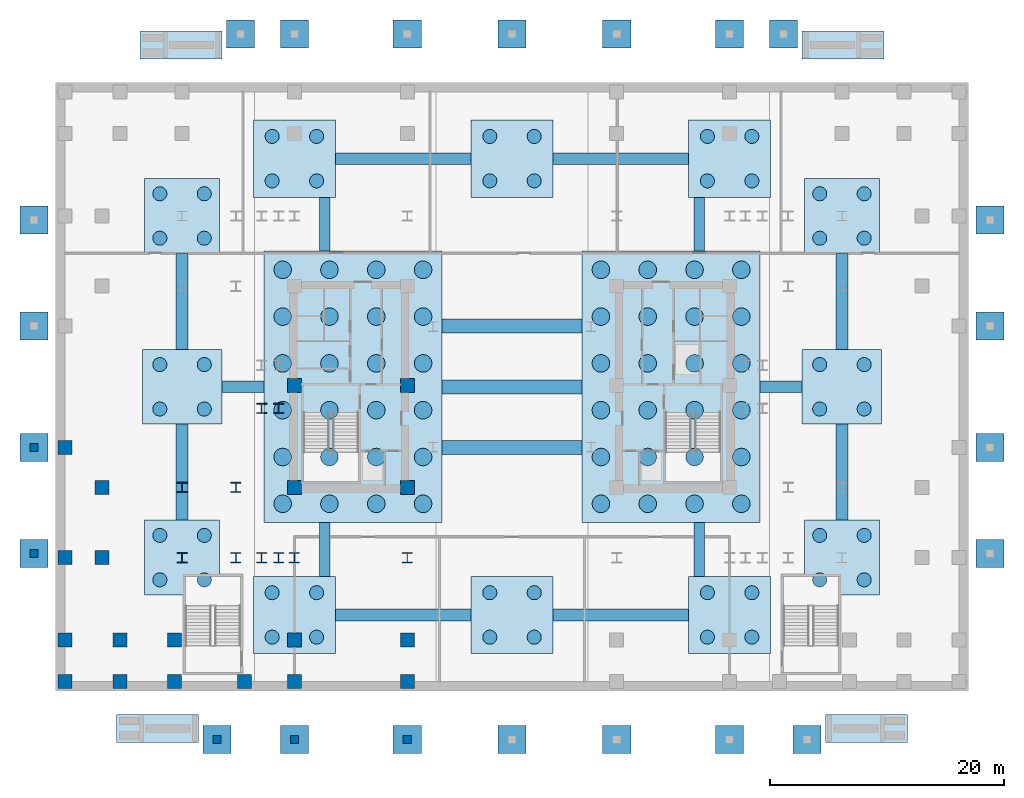
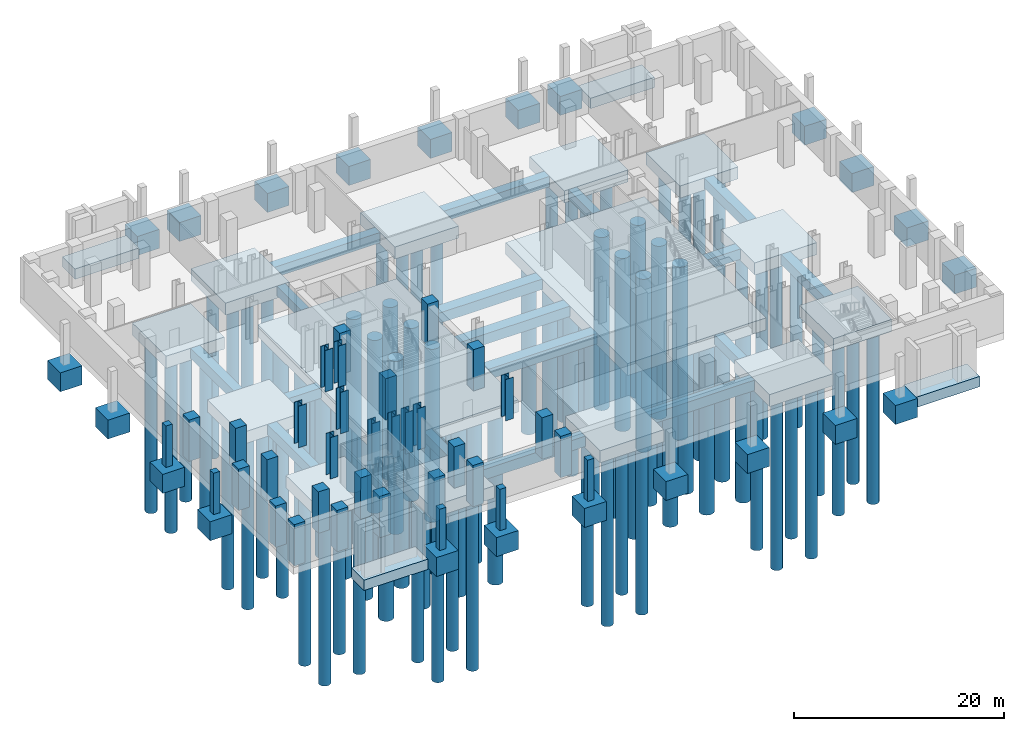
# One storey, part 1 of 10: 96 piles, 57 footings, 34 columns.
"""IFC4 building model written with IfcOpenShell, lengths in metres."""

from ifc_helpers import new_model, si_unit, direction, frame, origin, origin_2d, place, context, subcontext, project, spatial, rectangle, circle, i_section, extrude, material, material_profile, profile_set, type_object, element, save


model = new_model("IFC4")

# Units and contexts
model_context = context("Model", 3, precision=1e-05, world=origin(), true_north=direction((0.0, 1.0)))
body_context = subcontext(model_context, "Body", "Model", "MODEL_VIEW")
ifc_project = project(units=[si_unit("LENGTHUNIT", "METRE"), si_unit("AREAUNIT", "SQUARE_METRE"), si_unit("VOLUMEUNIT", "CUBIC_METRE"), si_unit("PLANEANGLEUNIT", "RADIAN"), si_unit("MASSUNIT", "GRAM", prefix="KILO")], contexts=[model_context])

# Site, building, storey
site_placement = place(None, origin())
site = spatial("IfcSite", under=ifc_project, at=site_placement, CompositionType="ELEMENT")
building_placement = place(site_placement, origin())
building = spatial("IfcBuilding", under=site, at=building_placement, Name="Velakula Bourse", CompositionType="ELEMENT")
storey_placement = place(building_placement, frame((0.0, 0.0, -9.60009765625)))
storey = spatial("IfcBuildingStorey", under=building, at=storey_placement, Name="B02", CompositionType="ELEMENT", Elevation=-9.60009765625)

# Footings
ifc_material_1 = material(Name="Concrete M70 (fck 70 MPa)", Category="concrete")
footing_type_1 = type_object("IfcFootingType", Name="FTG-CAP-CORE", PredefinedType="PILE_CAP", material=ifc_material_1)
for number, where, z_axis, x_axis, name in (
    (1, (-13.60009765625, 0.0, -2.199951171875), (0.0, 0.0, 1.0), (1.0, 0.0, 0.0), "Core West 24-Pile Cap"),
    (2, (13.60009765625, 0.0, -2.199951171875), (0.0, 0.0, 1.0), (1.0, 0.0, 0.0), "Core East 24-Pile Cap"),
):
    element("IfcFooting", number, at=place(storey_placement, frame(where, z_axis=z_axis, x_axis=x_axis)), inside=storey, type_object=footing_type_1, Name=name, PredefinedType="PILE_CAP", context=body_context, shape_type="SweptSolid", body=[
        extrude(rectangle(XDim=15.199951171875, YDim=23.199951171875, at=origin_2d()), origin(), (0.0, 0.0, 1.0), 1.39990234375),
    ])
footing_type_2 = type_object("IfcFootingType", Name="FTG-CAP-CORNER", PredefinedType="PILE_CAP", material=ifc_material_1)
for number, where, z_axis, x_axis, name in (
    (3, (-28.199951171875, -14.60009765625, -2.199951171875), (0.0, 0.0, 1.0), (1.0, 0.0, 0.0), "Perimeter 4-pile cap PC-P01"),
    (4, (-28.199951171875, 14.60009765625, -2.199951171875), (0.0, 0.0, 1.0), (1.0, 0.0, 0.0), "Perimeter 4-pile cap PC-P03"),
    (5, (28.199951171875, -14.60009765625, -2.199951171875), (0.0, 0.0, 1.0), (1.0, 0.0, 0.0), "Perimeter 4-pile cap PC-P04"),
    (6, (28.199951171875, 14.60009765625, -2.199951171875), (0.0, 0.0, 1.0), (1.0, 0.0, 0.0), "Perimeter 4-pile cap PC-P06"),
):
    element("IfcFooting", number, at=place(storey_placement, frame(where, z_axis=z_axis, x_axis=x_axis)), inside=storey, type_object=footing_type_2, Name=name, PredefinedType="PILE_CAP", context=body_context, shape_type="SweptSolid", body=[
        extrude(rectangle(XDim=6.39990234375, YDim=6.39990234375, at=origin_2d()), origin(), (0.0, 0.0, 1.0), 1.39990234375),
    ])
footing_type_3 = type_object("IfcFootingType", Name="FTG-CAP-EDGE-EW", PredefinedType="PILE_CAP", material=ifc_material_1)
for number, where, z_axis, x_axis, name in (
    (7, (-28.199951171875, 0.0, -2.199951171875), (0.0, 0.0, 1.0), (1.0, 0.0, 0.0), "Perimeter 4-pile cap PC-P02"),
    (8, (28.199951171875, 0.0, -2.199951171875), (0.0, 0.0, 1.0), (1.0, 0.0, 0.0), "Perimeter 4-pile cap PC-P05"),
):
    element("IfcFooting", number, at=place(storey_placement, frame(where, z_axis=z_axis, x_axis=x_axis)), inside=storey, type_object=footing_type_3, Name=name, PredefinedType="PILE_CAP", context=body_context, shape_type="SweptSolid", body=[
        extrude(rectangle(XDim=6.800048828125, YDim=6.39990234375, at=origin_2d()), origin(), (0.0, 0.0, 1.0), 1.39990234375),
    ])
footing_type_4 = type_object("IfcFootingType", Name="FTG-CAP-EDGE-NS", PredefinedType="PILE_CAP", material=ifc_material_1)
for number, where, z_axis, x_axis, name in (
    (9, (-18.60009765625, -19.5, -2.199951171875), (0.0, 0.0, 1.0), (1.0, 0.0, 0.0), "Perimeter 4-pile cap PC-P07"),
    (10, (0.0, -19.5, -2.199951171875), (0.0, 0.0, 1.0), (1.0, 0.0, 0.0), "Perimeter 4-pile cap PC-P08"),
    (11, (18.60009765625, -19.5, -2.199951171875), (0.0, 0.0, 1.0), (1.0, 0.0, 0.0), "Perimeter 4-pile cap PC-P09"),
    (12, (-18.60009765625, 19.5, -2.199951171875), (0.0, 0.0, 1.0), (1.0, 0.0, 0.0), "Perimeter 4-pile cap PC-P10"),
    (13, (0.0, 19.5, -2.199951171875), (0.0, 0.0, 1.0), (1.0, 0.0, 0.0), "Perimeter 4-pile cap PC-P11"),
    (14, (18.60009765625, 19.5, -2.199951171875), (0.0, 0.0, 1.0), (1.0, 0.0, 0.0), "Perimeter 4-pile cap PC-P12"),
):
    element("IfcFooting", number, at=place(storey_placement, frame(where, z_axis=z_axis, x_axis=x_axis)), inside=storey, type_object=footing_type_4, Name=name, PredefinedType="PILE_CAP", context=body_context, shape_type="SweptSolid", body=[
        extrude(rectangle(XDim=7.0, YDim=6.60009765625, at=origin_2d()), origin(), (0.0, 0.0, 1.0), 1.39990234375),
    ])
ifc_material_profile_1 = material_profile(ifc_material_1, rectangle(XDim=1.0, YDim=1.199951171875, at=origin_2d()), Name="Concrete M70 (fck 70 MPa)")
ifc_profile_set_1 = profile_set([ifc_material_profile_1], Name="Concrete M70 (fck 70 MPa)")
footing_type_5 = type_object("IfcFootingType", Name="FTG-GB-1000x1200", PredefinedType="FOOTING_BEAM", material=ifc_profile_set_1)
for number, where, z_axis, x_axis, name in (
    (15, (-24.800048828125, 0.0, -1.39990234375), (1.0, 0.0, 0.0), (0.0, 1.0, 0.0), "Reinforced concrete ground tie beam GB-WC1"),
    (16, (21.199951171875, 0.0, -1.39990234375), (1.0, 0.0, 0.0), (0.0, 1.0, 0.0), "Reinforced concrete ground tie beam GB-EC1"),
):
    element("IfcFooting", number, at=place(storey_placement, frame(where, z_axis=z_axis, x_axis=x_axis)), inside=storey, type_object=footing_type_5, Name=name, PredefinedType="FOOTING_BEAM", context=body_context, shape_type="SweptSolid", body=[
        extrude(rectangle(XDim=1.0, YDim=1.199951171875, at=origin_2d()), origin(), (0.0, 0.0, 1.0), 3.60009765625),
    ])
for number, where, z_axis, x_axis, name in (
    (17, (-28.199951171875, -11.39990234375, -1.39990234375), (0.0, 1.0, 0.0), (-1.0, 0.0, 0.0), "Reinforced concrete ground tie beam GB-WNS1"),
    (18, (-28.199951171875, 3.199951171875, -1.39990234375), (0.0, 1.0, 0.0), (-1.0, 0.0, 0.0), "Reinforced concrete ground tie beam GB-WNS2"),
    (19, (28.199951171875, -11.39990234375, -1.39990234375), (0.0, 1.0, 0.0), (-1.0, 0.0, 0.0), "Reinforced concrete ground tie beam GB-ENS1"),
    (20, (28.199951171875, 3.199951171875, -1.39990234375), (0.0, 1.0, 0.0), (-1.0, 0.0, 0.0), "Reinforced concrete ground tie beam GB-ENS2"),
):
    element("IfcFooting", number, at=place(storey_placement, frame(where, z_axis=z_axis, x_axis=x_axis)), inside=storey, type_object=footing_type_5, Name=name, PredefinedType="FOOTING_BEAM", context=body_context, shape_type="SweptSolid", body=[
        extrude(rectangle(XDim=1.0, YDim=1.199951171875, at=origin_2d()), origin(), (0.0, 0.0, 1.0), 8.199951171875),
    ])
for number, where, z_axis, x_axis, name in (
    (21, (-15.10009765625, -19.5, -1.39990234375), (1.0, 0.0, 0.0), (0.0, 1.0, 0.0), "Reinforced concrete ground tie beam GB-SEW1"),
    (22, (3.5, -19.5, -1.39990234375), (1.0, 0.0, 0.0), (0.0, 1.0, 0.0), "Reinforced concrete ground tie beam GB-SEW2"),
    (23, (-15.10009765625, 19.5, -1.39990234375), (1.0, 0.0, 0.0), (0.0, 1.0, 0.0), "Reinforced concrete ground tie beam GB-NEW1"),
    (24, (3.5, 19.5, -1.39990234375), (1.0, 0.0, 0.0), (0.0, 1.0, 0.0), "Reinforced concrete ground tie beam GB-NEW2"),
):
    element("IfcFooting", number, at=place(storey_placement, frame(where, z_axis=z_axis, x_axis=x_axis)), inside=storey, type_object=footing_type_5, Name=name, PredefinedType="FOOTING_BEAM", context=body_context, shape_type="SweptSolid", body=[
        extrude(rectangle(XDim=1.0, YDim=1.199951171875, at=origin_2d()), origin(), (0.0, 0.0, 1.0), 11.60009765625),
    ])
ifc_material_profile_2 = material_profile(ifc_material_1, rectangle(XDim=1.199951171875, YDim=1.199951171875, at=origin_2d()), Name="Concrete M70 (fck 70 MPa)")
ifc_profile_set_2 = profile_set([ifc_material_profile_2], Name="Concrete M70 (fck 70 MPa)")
footing_type_6 = type_object("IfcFootingType", Name="FTG-GB-1200x1200", PredefinedType="FOOTING_BEAM", material=ifc_profile_set_2)
for number, where, z_axis, x_axis, name in (
    (25, (-6.0, -5.199951171875, -1.39990234375), (1.0, 0.0, 0.0), (0.0, 1.0, 0.0), "Reinforced concrete ground tie beam GB-IC1"),
    (26, (-6.0, 0.0, -1.39990234375), (1.0, 0.0, 0.0), (0.0, 1.0, 0.0), "Reinforced concrete ground tie beam GB-IC2"),
    (27, (-6.0, 5.199951171875, -1.39990234375), (1.0, 0.0, 0.0), (0.0, 1.0, 0.0), "Reinforced concrete ground tie beam GB-IC3"),
):
    element("IfcFooting", number, at=place(storey_placement, frame(where, z_axis=z_axis, x_axis=x_axis)), inside=storey, type_object=footing_type_6, Name=name, PredefinedType="FOOTING_BEAM", context=body_context, shape_type="SweptSolid", body=[
        extrude(rectangle(XDim=1.199951171875, YDim=1.199951171875, at=origin_2d()), origin(), (0.0, 0.0, 1.0), 12.0),
    ])
ifc_material_profile_3 = material_profile(ifc_material_1, rectangle(XDim=0.89990234375, YDim=1.10009765625, at=origin_2d()), Name="Concrete M70 (fck 70 MPa)")
ifc_profile_set_3 = profile_set([ifc_material_profile_3], Name="Concrete M70 (fck 70 MPa)")
footing_type_7 = type_object("IfcFootingType", Name="FTG-GB-900x1100", PredefinedType="FOOTING_BEAM", material=ifc_profile_set_3)
for number, where, z_axis, x_axis, name in (
    (28, (-16.0, -16.199951171875, -1.349853515625), (0.0, 1.0, 0.0), (-1.0, 0.0, 0.0), "Reinforced concrete ground tie beam GB-CNS1"),
    (29, (16.0, -16.199951171875, -1.349853515625), (0.0, 1.0, 0.0), (-1.0, 0.0, 0.0), "Reinforced concrete ground tie beam GB-CNS2"),
    (30, (-16.0, 11.60009765625, -1.349853515625), (0.0, 1.0, 0.0), (-1.0, 0.0, 0.0), "Reinforced concrete ground tie beam GB-CNN1"),
    (31, (16.0, 11.60009765625, -1.349853515625), (0.0, 1.0, 0.0), (-1.0, 0.0, 0.0), "Reinforced concrete ground tie beam GB-CNN2"),
):
    element("IfcFooting", number, at=place(storey_placement, frame(where, z_axis=z_axis, x_axis=x_axis)), inside=storey, type_object=footing_type_7, Name=name, PredefinedType="FOOTING_BEAM", context=body_context, shape_type="SweptSolid", body=[
        extrude(rectangle(XDim=0.89990234375, YDim=1.10009765625, at=origin_2d()), origin(), (0.0, 0.0, 1.0), 4.599853515625),
    ])
ifc_material_2 = material(Name="Concrete M50 (fck 50 MPa)", Category="concrete")
footing_type_8 = type_object("IfcFootingType", Name="FTG-PAD-PLAZA", PredefinedType="PAD_FOOTING", material=ifc_material_2)
for number, where, z_axis, x_axis, name in (
    (32, (-25.199951171875, -30.14990234375, -2.19970703125), (0.0, 0.0, 1.0), (1.0, 0.0, 0.0), "Station Forecourt Sub-Plaza Pad Footing 01"),
    (33, (-18.60009765625, -30.14990234375, -2.19970703125), (0.0, 0.0, 1.0), (1.0, 0.0, 0.0), "Station Forecourt Sub-Plaza Pad Footing 02"),
    (34, (-8.949951171875, -30.14990234375, -2.19970703125), (0.0, 0.0, 1.0), (1.0, 0.0, 0.0), "Station Forecourt Sub-Plaza Pad Footing 03"),
    (35, (0.0, -30.14990234375, -2.19970703125), (0.0, 0.0, 1.0), (1.0, 0.0, 0.0), "Station Forecourt Sub-Plaza Pad Footing 04"),
    (36, (8.949951171875, -30.14990234375, -2.19970703125), (0.0, 0.0, 1.0), (1.0, 0.0, 0.0), "Station Forecourt Sub-Plaza Pad Footing 05"),
    (37, (18.60009765625, -30.14990234375, -2.19970703125), (0.0, 0.0, 1.0), (1.0, 0.0, 0.0), "Station Forecourt Sub-Plaza Pad Footing 06"),
    (38, (25.199951171875, -30.14990234375, -2.19970703125), (0.0, 0.0, 1.0), (1.0, 0.0, 0.0), "Station Forecourt Sub-Plaza Pad Footing 07"),
    (39, (-23.199951171875, 30.14990234375, -2.19970703125), (0.0, 0.0, 1.0), (1.0, 0.0, 0.0), "Station Forecourt Sub-Plaza Pad Footing 08"),
    (40, (-18.60009765625, 30.14990234375, -2.19970703125), (0.0, 0.0, 1.0), (1.0, 0.0, 0.0), "Station Forecourt Sub-Plaza Pad Footing 09"),
    (41, (-8.949951171875, 30.14990234375, -2.19970703125), (0.0, 0.0, 1.0), (1.0, 0.0, 0.0), "Station Forecourt Sub-Plaza Pad Footing 10"),
    (42, (0.0, 30.14990234375, -2.19970703125), (0.0, 0.0, 1.0), (1.0, 0.0, 0.0), "Station Forecourt Sub-Plaza Pad Footing 11"),
    (43, (8.949951171875, 30.14990234375, -2.19970703125), (0.0, 0.0, 1.0), (1.0, 0.0, 0.0), "Station Forecourt Sub-Plaza Pad Footing 12"),
    (44, (18.60009765625, 30.14990234375, -2.19970703125), (0.0, 0.0, 1.0), (1.0, 0.0, 0.0), "Station Forecourt Sub-Plaza Pad Footing 13"),
    (45, (23.199951171875, 30.14990234375, -2.19970703125), (0.0, 0.0, 1.0), (1.0, 0.0, 0.0), "Station Forecourt Sub-Plaza Pad Footing 14"),
    (46, (-40.85009765625, -14.25, -2.19970703125), (0.0, 0.0, 1.0), (1.0, 0.0, 0.0), "Station Forecourt Sub-Plaza Pad Footing 15"),
    (47, (-40.85009765625, -5.199951171875, -2.19970703125), (0.0, 0.0, 1.0), (1.0, 0.0, 0.0), "Station Forecourt Sub-Plaza Pad Footing 16"),
    (48, (-40.85009765625, 5.199951171875, -2.19970703125), (0.0, 0.0, 1.0), (1.0, 0.0, 0.0), "Station Forecourt Sub-Plaza Pad Footing 17"),
    (49, (-40.85009765625, 14.25, -2.19970703125), (0.0, 0.0, 1.0), (1.0, 0.0, 0.0), "Station Forecourt Sub-Plaza Pad Footing 18"),
    (50, (40.85009765625, -14.25, -2.19970703125), (0.0, 0.0, 1.0), (1.0, 0.0, 0.0), "Station Forecourt Sub-Plaza Pad Footing 19"),
    (51, (40.85009765625, -5.199951171875, -2.19970703125), (0.0, 0.0, 1.0), (1.0, 0.0, 0.0), "Station Forecourt Sub-Plaza Pad Footing 20"),
    (52, (40.85009765625, 5.199951171875, -2.19970703125), (0.0, 0.0, 1.0), (1.0, 0.0, 0.0), "Station Forecourt Sub-Plaza Pad Footing 21"),
    (53, (40.85009765625, 14.25, -2.19970703125), (0.0, 0.0, 1.0), (1.0, 0.0, 0.0), "Station Forecourt Sub-Plaza Pad Footing 22"),
):
    element("IfcFooting", number, at=place(storey_placement, frame(where, z_axis=z_axis, x_axis=x_axis)), inside=storey, type_object=footing_type_8, Name=name, PredefinedType="PAD_FOOTING", context=body_context, shape_type="SweptSolid", body=[
        extrude(rectangle(XDim=2.39990234375, YDim=2.39990234375, at=origin_2d()), origin(), (0.0, 0.0, 1.0), 2.199951171875),
    ])
footing_type_9 = type_object("IfcFootingType", Name="FTG-STRIP-RAMP", PredefinedType="STRIP_FOOTING", material=ifc_material_2)
for number, where, z_axis, x_axis, name in (
    (54, (-30.300048828125, -29.199951171875, -1.7998046875), (0.0, 0.0, 1.0), (1.0, 0.0, 0.0), "Flood-Ramp Strip Footing SW"),
    (55, (30.300048828125, -29.199951171875, -1.7998046875), (0.0, 0.0, 1.0), (1.0, 0.0, 0.0), "Flood-Ramp Strip Footing SE"),
    (56, (-28.300048828125, 29.199951171875, -1.7998046875), (0.0, 0.0, 1.0), (1.0, 0.0, 0.0), "Flood-Ramp Strip Footing NW"),
    (57, (28.300048828125, 29.199951171875, -1.7998046875), (0.0, 0.0, 1.0), (1.0, 0.0, 0.0), "Flood-Ramp Strip Footing NE"),
):
    element("IfcFooting", number, at=place(storey_placement, frame(where, z_axis=z_axis, x_axis=x_axis)), inside=storey, type_object=footing_type_9, Name=name, PredefinedType="STRIP_FOOTING", context=body_context, shape_type="SweptSolid", body=[
        extrude(rectangle(XDim=7.0, YDim=2.39990234375, at=origin_2d()), origin(), (0.0, 0.0, 1.0), 1.199951171875),
    ])

# Piles
ifc_material_profile_4 = material_profile(ifc_material_2, circle(Radius=0.60009765625, at=origin_2d()), Name="Concrete M50 (fck 50 MPa)")
ifc_profile_set_4 = profile_set([ifc_material_profile_4], Name="Concrete M50 (fck 50 MPa)")
pile_type_1 = type_object("IfcPileType", Name="PILE-BORED-1200", PredefinedType="BORED", material=ifc_profile_set_4)
for number, where, z_axis, x_axis, name in (
    (58, (-30.10009765625, -16.5, -2.099853515625), (0.0, 0.0, -1.0), (1.0, 0.0, 0.0), "PC-P01 bored pile 01"),
    (59, (-30.10009765625, -12.699951171875, -2.099853515625), (0.0, 0.0, -1.0), (1.0, 0.0, 0.0), "PC-P01 bored pile 02"),
    (60, (-26.300048828125, -16.5, -2.099853515625), (0.0, 0.0, -1.0), (1.0, 0.0, 0.0), "PC-P01 bored pile 03"),
    (61, (-26.300048828125, -12.699951171875, -2.099853515625), (0.0, 0.0, -1.0), (1.0, 0.0, 0.0), "PC-P01 bored pile 04"),
    (62, (-30.10009765625, -1.89990234375, -2.099853515625), (0.0, 0.0, -1.0), (1.0, 0.0, 0.0), "PC-P02 bored pile 01"),
    (63, (-30.10009765625, 1.89990234375, -2.099853515625), (0.0, 0.0, -1.0), (1.0, 0.0, 0.0), "PC-P02 bored pile 02"),
    (64, (-26.300048828125, -1.89990234375, -2.099853515625), (0.0, 0.0, -1.0), (1.0, 0.0, 0.0), "PC-P02 bored pile 03"),
    (65, (-26.300048828125, 1.89990234375, -2.099853515625), (0.0, 0.0, -1.0), (1.0, 0.0, 0.0), "PC-P02 bored pile 04"),
    (66, (-30.10009765625, 12.699951171875, -2.099853515625), (0.0, 0.0, -1.0), (1.0, 0.0, 0.0), "PC-P03 bored pile 01"),
    (67, (-30.10009765625, 16.5, -2.099853515625), (0.0, 0.0, -1.0), (1.0, 0.0, 0.0), "PC-P03 bored pile 02"),
    (68, (-26.300048828125, 12.699951171875, -2.099853515625), (0.0, 0.0, -1.0), (1.0, 0.0, 0.0), "PC-P03 bored pile 03"),
    (69, (-26.300048828125, 16.5, -2.099853515625), (0.0, 0.0, -1.0), (1.0, 0.0, 0.0), "PC-P03 bored pile 04"),
    (70, (26.300048828125, -16.5, -2.099853515625), (0.0, 0.0, -1.0), (1.0, 0.0, 0.0), "PC-P04 bored pile 01"),
    (71, (26.300048828125, -12.699951171875, -2.099853515625), (0.0, 0.0, -1.0), (1.0, 0.0, 0.0), "PC-P04 bored pile 02"),
    (72, (30.10009765625, -16.5, -2.099853515625), (0.0, 0.0, -1.0), (1.0, 0.0, 0.0), "PC-P04 bored pile 03"),
    (73, (30.10009765625, -12.699951171875, -2.099853515625), (0.0, 0.0, -1.0), (1.0, 0.0, 0.0), "PC-P04 bored pile 04"),
    (74, (26.300048828125, -1.89990234375, -2.099853515625), (0.0, 0.0, -1.0), (1.0, 0.0, 0.0), "PC-P05 bored pile 01"),
    (75, (26.300048828125, 1.89990234375, -2.099853515625), (0.0, 0.0, -1.0), (1.0, 0.0, 0.0), "PC-P05 bored pile 02"),
    (76, (30.10009765625, -1.89990234375, -2.099853515625), (0.0, 0.0, -1.0), (1.0, 0.0, 0.0), "PC-P05 bored pile 03"),
    (77, (30.10009765625, 1.89990234375, -2.099853515625), (0.0, 0.0, -1.0), (1.0, 0.0, 0.0), "PC-P05 bored pile 04"),
    (78, (26.300048828125, 12.699951171875, -2.099853515625), (0.0, 0.0, -1.0), (1.0, 0.0, 0.0), "PC-P06 bored pile 01"),
    (79, (26.300048828125, 16.5, -2.099853515625), (0.0, 0.0, -1.0), (1.0, 0.0, 0.0), "PC-P06 bored pile 02"),
    (80, (30.10009765625, 12.699951171875, -2.099853515625), (0.0, 0.0, -1.0), (1.0, 0.0, 0.0), "PC-P06 bored pile 03"),
    (81, (30.10009765625, 16.5, -2.099853515625), (0.0, 0.0, -1.0), (1.0, 0.0, 0.0), "PC-P06 bored pile 04"),
    (82, (-20.5, -21.39990234375, -2.099853515625), (0.0, 0.0, -1.0), (1.0, 0.0, 0.0), "PC-P07 bored pile 01"),
    (83, (-20.5, -17.60009765625, -2.099853515625), (0.0, 0.0, -1.0), (1.0, 0.0, 0.0), "PC-P07 bored pile 02"),
    (84, (-16.699951171875, -21.39990234375, -2.099853515625), (0.0, 0.0, -1.0), (1.0, 0.0, 0.0), "PC-P07 bored pile 03"),
    (85, (-16.699951171875, -17.60009765625, -2.099853515625), (0.0, 0.0, -1.0), (1.0, 0.0, 0.0), "PC-P07 bored pile 04"),
    (86, (-1.89990234375, -21.39990234375, -2.099853515625), (0.0, 0.0, -1.0), (1.0, 0.0, 0.0), "PC-P08 bored pile 01"),
    (87, (-1.89990234375, -17.60009765625, -2.099853515625), (0.0, 0.0, -1.0), (1.0, 0.0, 0.0), "PC-P08 bored pile 02"),
    (88, (1.89990234375, -21.39990234375, -2.099853515625), (0.0, 0.0, -1.0), (1.0, 0.0, 0.0), "PC-P08 bored pile 03"),
    (89, (1.89990234375, -17.60009765625, -2.099853515625), (0.0, 0.0, -1.0), (1.0, 0.0, 0.0), "PC-P08 bored pile 04"),
    (90, (16.699951171875, -21.39990234375, -2.099853515625), (0.0, 0.0, -1.0), (1.0, 0.0, 0.0), "PC-P09 bored pile 01"),
    (91, (16.699951171875, -17.60009765625, -2.099853515625), (0.0, 0.0, -1.0), (1.0, 0.0, 0.0), "PC-P09 bored pile 02"),
    (92, (20.5, -21.39990234375, -2.099853515625), (0.0, 0.0, -1.0), (1.0, 0.0, 0.0), "PC-P09 bored pile 03"),
    (93, (20.5, -17.60009765625, -2.099853515625), (0.0, 0.0, -1.0), (1.0, 0.0, 0.0), "PC-P09 bored pile 04"),
    (94, (-20.5, 17.60009765625, -2.099853515625), (0.0, 0.0, -1.0), (1.0, 0.0, 0.0), "PC-P10 bored pile 01"),
    (95, (-20.5, 21.39990234375, -2.099853515625), (0.0, 0.0, -1.0), (1.0, 0.0, 0.0), "PC-P10 bored pile 02"),
    (96, (-16.699951171875, 17.60009765625, -2.099853515625), (0.0, 0.0, -1.0), (1.0, 0.0, 0.0), "PC-P10 bored pile 03"),
    (97, (-16.699951171875, 21.39990234375, -2.099853515625), (0.0, 0.0, -1.0), (1.0, 0.0, 0.0), "PC-P10 bored pile 04"),
    (98, (-1.89990234375, 17.60009765625, -2.099853515625), (0.0, 0.0, -1.0), (1.0, 0.0, 0.0), "PC-P11 bored pile 01"),
    (99, (-1.89990234375, 21.39990234375, -2.099853515625), (0.0, 0.0, -1.0), (1.0, 0.0, 0.0), "PC-P11 bored pile 02"),
    (100, (1.89990234375, 17.60009765625, -2.099853515625), (0.0, 0.0, -1.0), (1.0, 0.0, 0.0), "PC-P11 bored pile 03"),
    (101, (1.89990234375, 21.39990234375, -2.099853515625), (0.0, 0.0, -1.0), (1.0, 0.0, 0.0), "PC-P11 bored pile 04"),
    (102, (16.699951171875, 17.60009765625, -2.099853515625), (0.0, 0.0, -1.0), (1.0, 0.0, 0.0), "PC-P12 bored pile 01"),
    (103, (16.699951171875, 21.39990234375, -2.099853515625), (0.0, 0.0, -1.0), (1.0, 0.0, 0.0), "PC-P12 bored pile 02"),
    (104, (20.5, 17.60009765625, -2.099853515625), (0.0, 0.0, -1.0), (1.0, 0.0, 0.0), "PC-P12 bored pile 03"),
    (105, (20.5, 21.39990234375, -2.099853515625), (0.0, 0.0, -1.0), (1.0, 0.0, 0.0), "PC-P12 bored pile 04"),
):
    element("IfcPile", number, at=place(storey_placement, frame(where, z_axis=z_axis, x_axis=x_axis)), inside=storey, type_object=pile_type_1, Name=name, PredefinedType="BORED", context=body_context, shape_type="SweptSolid", body=[
        extrude(circle(Radius=0.60009765625, at=origin_2d()), origin(), (0.0, 0.0, 1.0), 20.10009765625),
    ])
ifc_material_profile_5 = material_profile(ifc_material_2, circle(Radius=0.75, at=origin_2d()), Name="Concrete M50 (fck 50 MPa)")
ifc_profile_set_5 = profile_set([ifc_material_profile_5], Name="Concrete M50 (fck 50 MPa)")
pile_type_2 = type_object("IfcPileType", Name="PILE-BORED-1500", PredefinedType="BORED", material=ifc_profile_set_5)
for number, where, z_axis, x_axis, name in (
    (106, (-19.60009765625, -10.0, -2.099853515625), (0.0, 0.0, -1.0), (1.0, 0.0, 0.0), "PC-CW bored pile 01"),
    (107, (-19.60009765625, -6.0, -2.099853515625), (0.0, 0.0, -1.0), (1.0, 0.0, 0.0), "PC-CW bored pile 02"),
    (108, (-19.60009765625, -2.0, -2.099853515625), (0.0, 0.0, -1.0), (1.0, 0.0, 0.0), "PC-CW bored pile 03"),
    (109, (-19.60009765625, 2.0, -2.099853515625), (0.0, 0.0, -1.0), (1.0, 0.0, 0.0), "PC-CW bored pile 04"),
    (110, (-19.60009765625, 6.0, -2.099853515625), (0.0, 0.0, -1.0), (1.0, 0.0, 0.0), "PC-CW bored pile 05"),
    (111, (-19.60009765625, 10.0, -2.099853515625), (0.0, 0.0, -1.0), (1.0, 0.0, 0.0), "PC-CW bored pile 06"),
    (112, (-15.60009765625, -10.0, -2.099853515625), (0.0, 0.0, -1.0), (1.0, 0.0, 0.0), "PC-CW bored pile 07"),
    (113, (-15.60009765625, -6.0, -2.099853515625), (0.0, 0.0, -1.0), (1.0, 0.0, 0.0), "PC-CW bored pile 08"),
    (114, (-15.60009765625, -2.0, -2.099853515625), (0.0, 0.0, -1.0), (1.0, 0.0, 0.0), "PC-CW bored pile 09"),
    (115, (-15.60009765625, 2.0, -2.099853515625), (0.0, 0.0, -1.0), (1.0, 0.0, 0.0), "PC-CW bored pile 10"),
    (116, (-15.60009765625, 6.0, -2.099853515625), (0.0, 0.0, -1.0), (1.0, 0.0, 0.0), "PC-CW bored pile 11"),
    (117, (-15.60009765625, 10.0, -2.099853515625), (0.0, 0.0, -1.0), (1.0, 0.0, 0.0), "PC-CW bored pile 12"),
    (118, (-11.60009765625, -10.0, -2.099853515625), (0.0, 0.0, -1.0), (1.0, 0.0, 0.0), "PC-CW bored pile 13"),
    (119, (-11.60009765625, -6.0, -2.099853515625), (0.0, 0.0, -1.0), (1.0, 0.0, 0.0), "PC-CW bored pile 14"),
    (120, (-11.60009765625, -2.0, -2.099853515625), (0.0, 0.0, -1.0), (1.0, 0.0, 0.0), "PC-CW bored pile 15"),
    (121, (-11.60009765625, 2.0, -2.099853515625), (0.0, 0.0, -1.0), (1.0, 0.0, 0.0), "PC-CW bored pile 16"),
    (122, (-11.60009765625, 6.0, -2.099853515625), (0.0, 0.0, -1.0), (1.0, 0.0, 0.0), "PC-CW bored pile 17"),
    (123, (-11.60009765625, 10.0, -2.099853515625), (0.0, 0.0, -1.0), (1.0, 0.0, 0.0), "PC-CW bored pile 18"),
    (124, (-7.60009765625, -10.0, -2.099853515625), (0.0, 0.0, -1.0), (1.0, 0.0, 0.0), "PC-CW bored pile 19"),
    (125, (-7.60009765625, -6.0, -2.099853515625), (0.0, 0.0, -1.0), (1.0, 0.0, 0.0), "PC-CW bored pile 20"),
    (126, (-7.60009765625, -2.0, -2.099853515625), (0.0, 0.0, -1.0), (1.0, 0.0, 0.0), "PC-CW bored pile 21"),
    (127, (-7.60009765625, 2.0, -2.099853515625), (0.0, 0.0, -1.0), (1.0, 0.0, 0.0), "PC-CW bored pile 22"),
    (128, (-7.60009765625, 6.0, -2.099853515625), (0.0, 0.0, -1.0), (1.0, 0.0, 0.0), "PC-CW bored pile 23"),
    (129, (-7.60009765625, 10.0, -2.099853515625), (0.0, 0.0, -1.0), (1.0, 0.0, 0.0), "PC-CW bored pile 24"),
    (130, (7.60009765625, -10.0, -2.099853515625), (0.0, 0.0, -1.0), (1.0, 0.0, 0.0), "PC-CE bored pile 01"),
    (131, (7.60009765625, -6.0, -2.099853515625), (0.0, 0.0, -1.0), (1.0, 0.0, 0.0), "PC-CE bored pile 02"),
    (132, (7.60009765625, -2.0, -2.099853515625), (0.0, 0.0, -1.0), (1.0, 0.0, 0.0), "PC-CE bored pile 03"),
    (133, (7.60009765625, 2.0, -2.099853515625), (0.0, 0.0, -1.0), (1.0, 0.0, 0.0), "PC-CE bored pile 04"),
    (134, (7.60009765625, 6.0, -2.099853515625), (0.0, 0.0, -1.0), (1.0, 0.0, 0.0), "PC-CE bored pile 05"),
    (135, (7.60009765625, 10.0, -2.099853515625), (0.0, 0.0, -1.0), (1.0, 0.0, 0.0), "PC-CE bored pile 06"),
    (136, (11.60009765625, -10.0, -2.099853515625), (0.0, 0.0, -1.0), (1.0, 0.0, 0.0), "PC-CE bored pile 07"),
    (137, (11.60009765625, -6.0, -2.099853515625), (0.0, 0.0, -1.0), (1.0, 0.0, 0.0), "PC-CE bored pile 08"),
    (138, (11.60009765625, -2.0, -2.099853515625), (0.0, 0.0, -1.0), (1.0, 0.0, 0.0), "PC-CE bored pile 09"),
    (139, (11.60009765625, 2.0, -2.099853515625), (0.0, 0.0, -1.0), (1.0, 0.0, 0.0), "PC-CE bored pile 10"),
    (140, (11.60009765625, 6.0, -2.099853515625), (0.0, 0.0, -1.0), (1.0, 0.0, 0.0), "PC-CE bored pile 11"),
    (141, (11.60009765625, 10.0, -2.099853515625), (0.0, 0.0, -1.0), (1.0, 0.0, 0.0), "PC-CE bored pile 12"),
    (142, (15.60009765625, -10.0, -2.099853515625), (0.0, 0.0, -1.0), (1.0, 0.0, 0.0), "PC-CE bored pile 13"),
    (143, (15.60009765625, -6.0, -2.099853515625), (0.0, 0.0, -1.0), (1.0, 0.0, 0.0), "PC-CE bored pile 14"),
    (144, (15.60009765625, -2.0, -2.099853515625), (0.0, 0.0, -1.0), (1.0, 0.0, 0.0), "PC-CE bored pile 15"),
    (145, (15.60009765625, 2.0, -2.099853515625), (0.0, 0.0, -1.0), (1.0, 0.0, 0.0), "PC-CE bored pile 16"),
    (146, (15.60009765625, 6.0, -2.099853515625), (0.0, 0.0, -1.0), (1.0, 0.0, 0.0), "PC-CE bored pile 17"),
    (147, (15.60009765625, 10.0, -2.099853515625), (0.0, 0.0, -1.0), (1.0, 0.0, 0.0), "PC-CE bored pile 18"),
    (148, (19.60009765625, -10.0, -2.099853515625), (0.0, 0.0, -1.0), (1.0, 0.0, 0.0), "PC-CE bored pile 19"),
    (149, (19.60009765625, -6.0, -2.099853515625), (0.0, 0.0, -1.0), (1.0, 0.0, 0.0), "PC-CE bored pile 20"),
    (150, (19.60009765625, -2.0, -2.099853515625), (0.0, 0.0, -1.0), (1.0, 0.0, 0.0), "PC-CE bored pile 21"),
    (151, (19.60009765625, 2.0, -2.099853515625), (0.0, 0.0, -1.0), (1.0, 0.0, 0.0), "PC-CE bored pile 22"),
    (152, (19.60009765625, 6.0, -2.099853515625), (0.0, 0.0, -1.0), (1.0, 0.0, 0.0), "PC-CE bored pile 23"),
    (153, (19.60009765625, 10.0, -2.099853515625), (0.0, 0.0, -1.0), (1.0, 0.0, 0.0), "PC-CE bored pile 24"),
):
    element("IfcPile", number, at=place(storey_placement, frame(where, z_axis=z_axis, x_axis=x_axis)), inside=storey, type_object=pile_type_2, Name=name, PredefinedType="BORED", context=body_context, shape_type="SweptSolid", body=[
        extrude(circle(Radius=0.75, at=origin_2d()), origin(), (0.0, 0.0, 1.0), 20.10009765625),
    ])

# Columns
ifc_material_profile_6 = material_profile(ifc_material_1, rectangle(XDim=1.199951171875, YDim=1.199951171875, at=origin_2d()), Name="Concrete M70 (fck 70 MPa)")
ifc_profile_set_6 = profile_set([ifc_material_profile_6], Name="Concrete M70 (fck 70 MPa)")
column_type_1 = type_object("IfcColumnType", Name="COL-RC-1200", PredefinedType="COLUMN", material=ifc_profile_set_6)
for number, where, z_axis, x_axis, name in (
    (154, (-8.949951171875, -8.60009765625, 0.0), (0.0, 0.0, 1.0), (1.0, 0.0, 0.0), "B02 Core Boundary Column 01"),
    (155, (-8.949951171875, 0.10009765625, 0.0), (0.0, 0.0, 1.0), (1.0, 0.0, 0.0), "B02 Core Boundary Column 02"),
    (156, (-18.60009765625, -8.60009765625, 0.0), (0.0, 0.0, 1.0), (1.0, 0.0, 0.0), "B02 Core Boundary Column 04"),
    (157, (-18.60009765625, 0.10009765625, 0.0), (0.0, 0.0, 1.0), (1.0, 0.0, 0.0), "B02 Core Boundary Column 05"),
    (158, (-35.050048828125, -14.60009765625, 0.0), (0.0, 0.0, 1.0), (1.0, 0.0, 0.0), "B02 Station Podium Grid Column 01"),
    (159, (-35.050048828125, -8.60009765625, 0.0), (0.0, 0.0, 1.0), (1.0, 0.0, 0.0), "B02 Station Podium Grid Column 02"),
    (160, (-38.199951171875, -21.64990234375, 0.0), (0.0, 0.0, 1.0), (1.0, 0.0, 0.0), "B02 Station Podium Grid Column 09"),
    (161, (-33.5, -21.64990234375, 0.0), (0.0, 0.0, 1.0), (1.0, 0.0, 0.0), "B02 Station Podium Grid Column 11"),
    (162, (-28.85009765625, -21.64990234375, 0.0), (0.0, 0.0, 1.0), (1.0, 0.0, 0.0), "B02 Station Podium Grid Column 13"),
    (163, (-18.60009765625, -21.64990234375, 0.0), (0.0, 0.0, 1.0), (1.0, 0.0, 0.0), "B02 Station Podium Grid Column 15"),
    (164, (-8.949951171875, -21.64990234375, 0.0), (0.0, 0.0, 1.0), (1.0, 0.0, 0.0), "B02 Station Podium Grid Column 17"),
    (165, (-38.199951171875, -25.199951171875, 0.0), (0.0, 0.0, 1.0), (1.0, 0.0, 0.0), "B02 Station Podium Grid Column 29"),
    (166, (-33.5, -25.199951171875, 0.0), (0.0, 0.0, 1.0), (1.0, 0.0, 0.0), "B02 Station Podium Grid Column 31"),
    (167, (-28.85009765625, -25.199951171875, 0.0), (0.0, 0.0, 1.0), (1.0, 0.0, 0.0), "B02 Station Podium Grid Column 33"),
    (168, (-22.85009765625, -25.199951171875, 0.0), (0.0, 0.0, 1.0), (1.0, 0.0, 0.0), "B02 Station Podium Grid Column 35"),
    (169, (-18.60009765625, -25.199951171875, 0.0), (0.0, 0.0, 1.0), (1.0, 0.0, 0.0), "B02 Station Podium Grid Column 39"),
    (170, (-8.949951171875, -25.199951171875, 0.0), (0.0, 0.0, 1.0), (1.0, 0.0, 0.0), "B02 Station Podium Grid Column 41"),
    (171, (-38.199951171875, -14.60009765625, 0.0), (0.0, 0.0, 1.0), (1.0, 0.0, 0.0), "B02 Station Podium Grid Column 53"),
    (172, (-38.199951171875, -5.199951171875, 0.0), (0.0, 0.0, 1.0), (1.0, 0.0, 0.0), "B02 Station Podium Grid Column 54"),
):
    element("IfcColumn", number, at=place(storey_placement, frame(where, z_axis=z_axis, x_axis=x_axis)), inside=storey, type_object=column_type_1, Name=name, PredefinedType="COLUMN", context=body_context, shape_type="SweptSolid", body=[
        extrude(rectangle(XDim=1.199951171875, YDim=1.199951171875, at=origin_2d()), origin(), (0.0, 0.0, 1.0), 4.800048828125),
    ])
ifc_material_profile_7 = material_profile(ifc_material_2, rectangle(XDim=0.699951171875, YDim=0.699951171875, at=origin_2d()), Name="Concrete M50 (fck 50 MPa)")
ifc_profile_set_7 = profile_set([ifc_material_profile_7], Name="Concrete M50 (fck 50 MPa)")
column_type_2 = type_object("IfcColumnType", Name="COL-RC-700", PredefinedType="COLUMN", material=ifc_profile_set_7)
for number, where, z_axis, x_axis, name in (
    (173, (-25.199951171875, -30.14990234375, 0.0), (0.0, 0.0, 1.0), (1.0, 0.0, 0.0), "B02 Forecourt Support Pier 01"),
    (174, (-18.60009765625, -30.14990234375, 0.0), (0.0, 0.0, 1.0), (1.0, 0.0, 0.0), "B02 Forecourt Support Pier 02"),
    (175, (-8.949951171875, -30.14990234375, 0.0), (0.0, 0.0, 1.0), (1.0, 0.0, 0.0), "B02 Forecourt Support Pier 03"),
    (176, (-40.85009765625, -14.25, 0.0), (0.0, 0.0, 1.0), (1.0, 0.0, 0.0), "B02 Forecourt Support Pier 15"),
    (177, (-40.85009765625, -5.199951171875, 0.0), (0.0, 0.0, 1.0), (1.0, 0.0, 0.0), "B02 Forecourt Support Pier 16"),
):
    element("IfcColumn", number, at=place(storey_placement, frame(where, z_axis=z_axis, x_axis=x_axis)), inside=storey, type_object=column_type_2, Name=name, PredefinedType="COLUMN", context=body_context, shape_type="SweptSolid", body=[
        extrude(rectangle(XDim=0.699951171875, YDim=0.699951171875, at=origin_2d()), origin(), (0.0, 0.0, 1.0), 4.800048828125),
    ])
ifc_material_3 = material(Name="Steel IS 2062 Grade 450 (E450)", Category="steel")
ifc_material_profile_8 = material_profile(ifc_material_3, i_section(OverallWidth=0.85009765625, OverallDepth=0.85009765625, WebThickness=0.031982421875, FlangeThickness=0.048095703125, at=origin_2d()), Name="Steel IS 2062 Grade 450 (E450)")
ifc_profile_set_8 = profile_set([ifc_material_profile_8], Name="Steel IS 2062 Grade 450 (E450)")
column_type_3 = type_object("IfcColumnType", Name="COL-STL-850", PredefinedType="COLUMN", material=ifc_profile_set_8)
for number, where, z_axis, x_axis, name in (
    (178, (-21.39990234375, -14.60009765625, 0.0), (0.0, 0.0, 1.0), (1.0, 0.0, 0.0), "B02 Tower Fulcrum Column 01"),
    (179, (-19.949951171875, -14.60009765625, 0.0), (0.0, 0.0, 1.0), (1.0, 0.0, 0.0), "B02 Tower Fulcrum Column 03"),
    (180, (-18.60009765625, -14.60009765625, 0.0), (0.0, 0.0, 1.0), (1.0, 0.0, 0.0), "B02 Tower Fulcrum Column 05"),
    (181, (-8.949951171875, -14.60009765625, 0.0), (0.0, 0.0, 1.0), (1.0, 0.0, 0.0), "B02 Tower Fulcrum Column 07"),
    (182, (-21.39990234375, -1.85009765625, 0.0), (0.0, 0.0, 1.0), (1.0, 0.0, 0.0), "B02 Tower Fulcrum Column 17"),
    (183, (-19.949951171875, -1.85009765625, 0.0), (0.0, 0.0, 1.0), (1.0, 0.0, 0.0), "B02 Tower Fulcrum Column 19"),
    (184, (-23.60009765625, -14.60009765625, 0.0), (0.0, 0.0, 1.0), (1.0, 0.0, 0.0), "B02 Mid-Wing Plumb Column 01"),
    (185, (-23.60009765625, -8.60009765625, 0.0), (0.0, 0.0, 1.0), (1.0, 0.0, 0.0), "B02 Mid-Wing Plumb Column 02"),
    (186, (-28.199951171875, -14.60009765625, 0.0), (0.0, 0.0, 1.0), (1.0, 0.0, 0.0), "B02 Lower Wing Column 01"),
    (187, (-28.199951171875, -8.60009765625, 0.0), (0.0, 0.0, 1.0), (1.0, 0.0, 0.0), "B02 Lower Wing Column 02"),
):
    element("IfcColumn", number, at=place(storey_placement, frame(where, z_axis=z_axis, x_axis=x_axis)), inside=storey, type_object=column_type_3, Name=name, PredefinedType="COLUMN", context=body_context, shape_type="SweptSolid", body=[
        extrude(i_section(OverallWidth=0.85009765625, OverallDepth=0.85009765625, WebThickness=0.031982421875, FlangeThickness=0.048095703125, at=origin_2d()), origin(), (0.0, 0.0, 1.0), 4.800048828125),
    ])

save(model, "model.ifc")
